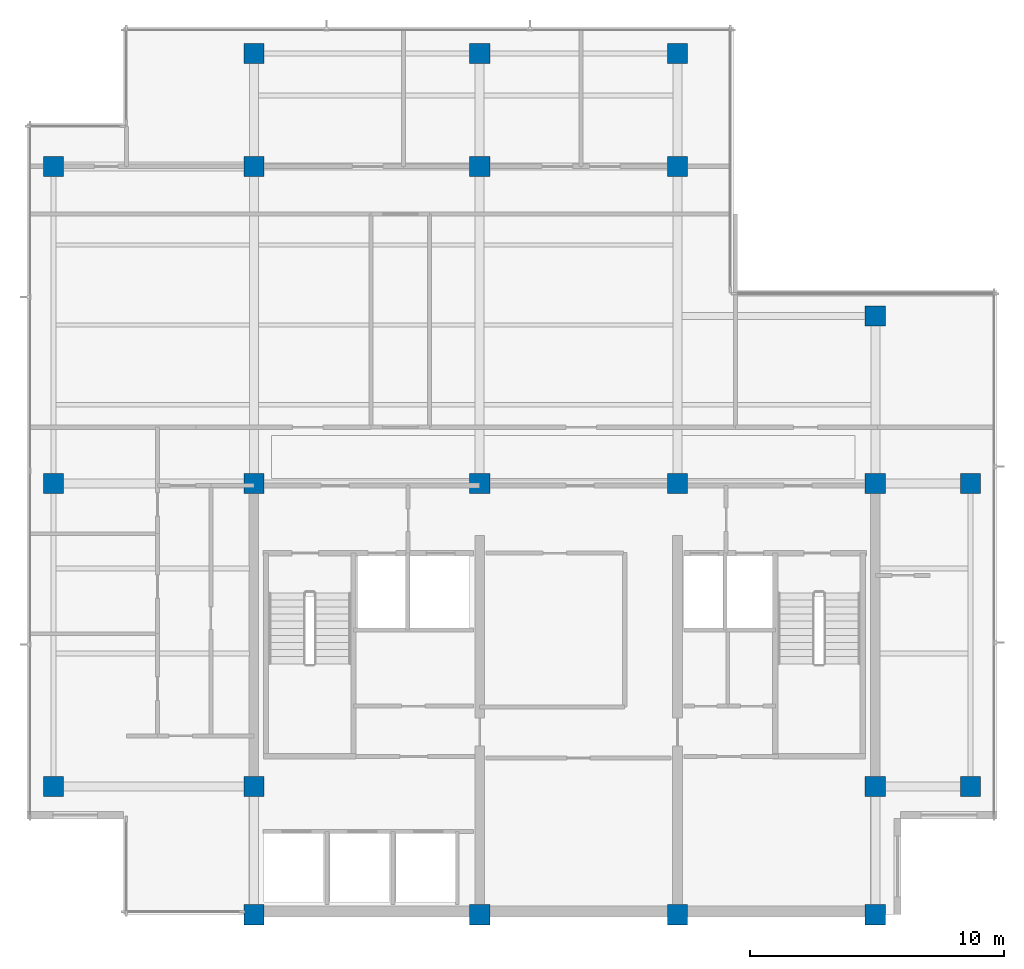
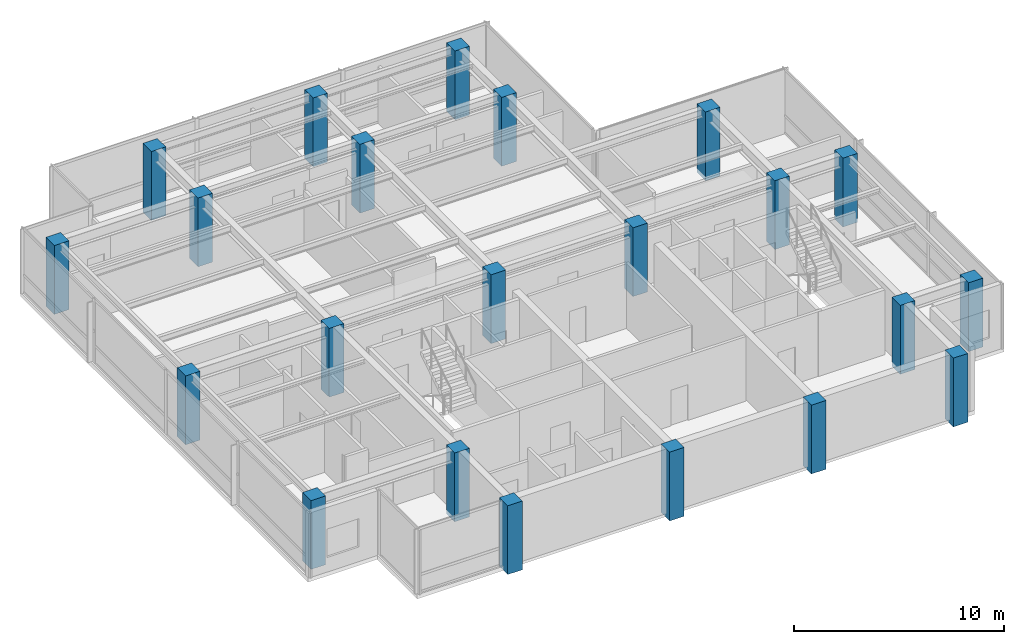
# One storey, part 1 of 11: 22 columns.
"""IFC4 building model written with IfcOpenShell, lengths in metres."""

from ifc_helpers import new_model, si_unit, direction, frame, origin, origin_2d, place, context, subcontext, project, spatial, rectangle, extrude, material, material_profile, profile_set, type_object, element, save


model = new_model("IFC4")

# Units and contexts
model_context = context("Model", 3, precision=1e-05, world=origin(), true_north=direction((0.0, 1.0)))
body_context = subcontext(model_context, "Body", "Model", "MODEL_VIEW")
ifc_project = project(units=[si_unit("LENGTHUNIT", "METRE"), si_unit("AREAUNIT", "SQUARE_METRE"), si_unit("VOLUMEUNIT", "CUBIC_METRE"), si_unit("PLANEANGLEUNIT", "RADIAN"), si_unit("MASSUNIT", "GRAM", prefix="KILO")], contexts=[model_context])

# Site, building, storey
site_placement = place(None, origin())
site = spatial("IfcSite", under=ifc_project, at=site_placement, CompositionType="ELEMENT")
building_placement = place(site_placement, origin())
building = spatial("IfcBuilding", under=site, at=building_placement, Name="Qalmaran Belvedere Hotel", CompositionType="ELEMENT")
storey_placement = place(building_placement, frame((0.0, 0.0, 289.89990234375)))
storey = spatial("IfcBuildingStorey", under=building, at=storey_placement, Name="L75", CompositionType="ELEMENT", Elevation=289.89990234375)

# Columns
ifc_material = material(Name="Concrete C50/60", Category="concrete")
ifc_material_profile = material_profile(ifc_material, rectangle(XDim=0.800048828125, YDim=0.800048828125, at=origin_2d()), Name="CC800X800")
ifc_profile_set = profile_set([ifc_material_profile], Name="Concrete C50/60")
column_type = type_object("IfcColumnType", Name="COL-Z5-CC800", PredefinedType="COLUMN", material=ifc_profile_set)
for number, where, z_axis, x_axis, name in (
    (1, (20.300048828125, 3.5, -0.239990234375), (0.0, 0.0, 1.0), (1.0, 0.0, 0.0), "L75 Column C4B"),
    (2, (29.199951171875, 3.5, -0.239990234375), (0.0, 0.0, 1.0), (1.0, 0.0, 0.0), "L75 Column C5B"),
    (3, (37.0, 3.5, -0.239990234375), (0.0, 0.0, 1.0), (1.0, 0.0, 0.0), "L75 Column C6B"),
    (4, (44.800048828125, 3.5, -0.239990234375), (0.0, 0.0, 1.0), (1.0, 0.0, 0.0), "L75 Column C7B"),
    (5, (20.300048828125, 8.550048828125, -0.239990234375), (0.0, 0.0, 1.0), (1.0, 0.0, 0.0), "L75 Column C4C"),
    (6, (44.800048828125, 8.550048828125, -0.239990234375), (0.0, 0.0, 1.0), (1.0, 0.0, 0.0), "L75 Column C7C"),
    (7, (20.300048828125, 20.5, -0.239990234375), (0.0, 0.0, 1.0), (1.0, 0.0, 0.0), "L75 Column C4D"),
    (8, (29.199951171875, 20.5, -0.239990234375), (0.0, 0.0, 1.0), (1.0, 0.0, 0.0), "L75 Column C5D"),
    (9, (37.0, 20.5, -0.239990234375), (0.0, 0.0, 1.0), (1.0, 0.0, 0.0), "L75 Column C6D"),
    (10, (44.800048828125, 20.5, -0.239990234375), (0.0, 0.0, 1.0), (1.0, 0.0, 0.0), "L75 Column C7D"),
    (11, (20.300048828125, 33.0, -0.239990234375), (0.0, 0.0, 1.0), (1.0, 0.0, 0.0), "L75 Column C4F"),
    (12, (29.199951171875, 33.0, -0.239990234375), (0.0, 0.0, 1.0), (1.0, 0.0, 0.0), "L75 Column C5F"),
    (13, (37.0, 33.0, -0.239990234375), (0.0, 0.0, 1.0), (1.0, 0.0, 0.0), "L75 Column C6F"),
    (14, (44.800048828125, 27.10009765625, -0.239990234375), (0.0, 0.0, 1.0), (1.0, 0.0, 0.0), "L75 Column C7E"),
    (15, (12.39990234375, 8.550048828125, -0.239990234375), (0.0, 0.0, 1.0), (1.0, 0.0, 0.0), "L75 Column CW1"),
    (16, (12.39990234375, 20.5, -0.239990234375), (0.0, 0.0, 1.0), (1.0, 0.0, 0.0), "L75 Column CW3"),
    (17, (12.39990234375, 33.0, -0.239990234375), (0.0, 0.0, 1.0), (1.0, 0.0, 0.0), "L75 Column CW4"),
    (18, (48.550048828125, 8.550048828125, -0.239990234375), (0.0, 0.0, 1.0), (1.0, 0.0, 0.0), "L75 Column CE1"),
    (19, (48.550048828125, 20.5, -0.239990234375), (0.0, 0.0, 1.0), (1.0, 0.0, 0.0), "L75 Column CE3"),
    (20, (20.300048828125, 37.449951171875, -0.239990234375), (0.0, 0.0, 1.0), (1.0, 0.0, 0.0), "L75 Column CN1"),
    (21, (29.199951171875, 37.449951171875, -0.239990234375), (0.0, 0.0, 1.0), (1.0, 0.0, 0.0), "L75 Column CN2"),
    (22, (37.0, 37.449951171875, -0.239990234375), (0.0, 0.0, 1.0), (1.0, 0.0, 0.0), "L75 Column CN3"),
):
    element("IfcColumn", number, at=place(storey_placement, frame(where, z_axis=z_axis, x_axis=x_axis)), inside=storey, type_object=column_type, Name=name, PredefinedType="COLUMN", context=body_context, shape_type="SweptSolid", body=[
        extrude(rectangle(XDim=0.800048828125, YDim=0.800048828125, at=origin_2d()), origin(), (0.0, 0.0, 1.0), 4.0),
    ])

save(model, "model.ifc")
